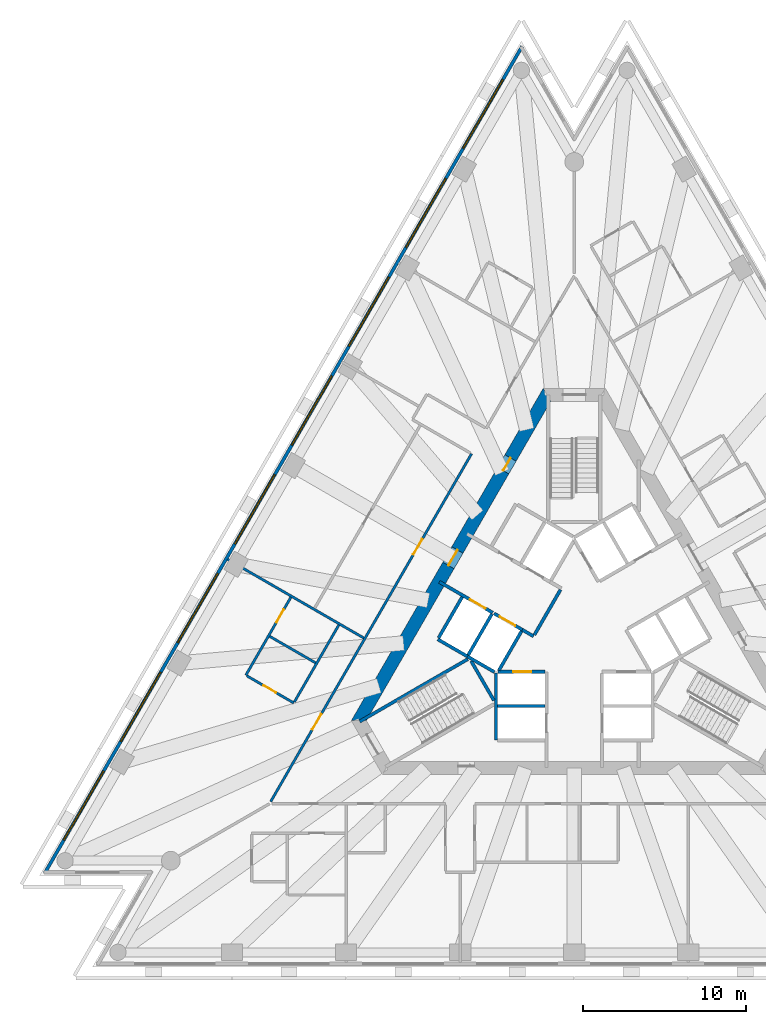
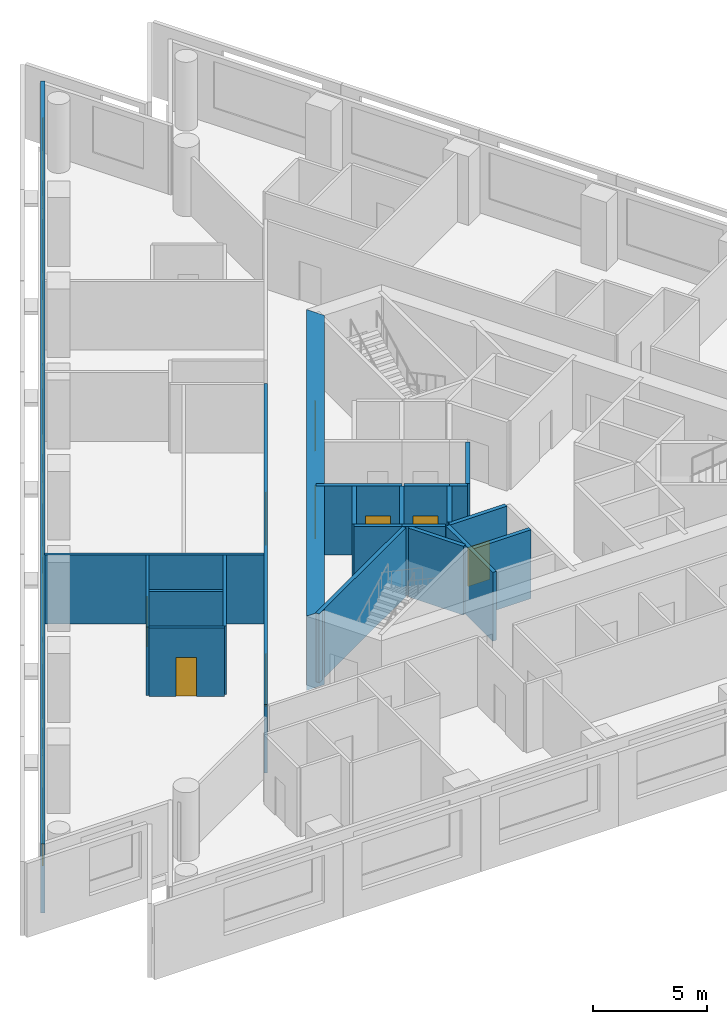
# One storey, part 4 of 10: 22 walls, 9 doors, 8 windows, 17 openings.
"""IFC4 building model written with IfcOpenShell, lengths in metres."""

from ifc_helpers import new_model, si_unit, direction, frame, frame_2d, origin, place, context, subcontext, project, spatial, polyline, rectangle, outline, extrude, material, layer, layer_set, layer_usage, type_object, element, fill, save


model = new_model("IFC4")

# Units and contexts
model_context = context("Model", 3, precision=1e-05, world=origin(), true_north=direction((0.0, 1.0)))
body_context = subcontext(model_context, "Body", "Model", "MODEL_VIEW")
ifc_project = project(units=[si_unit("LENGTHUNIT", "METRE"), si_unit("AREAUNIT", "SQUARE_METRE"), si_unit("VOLUMEUNIT", "CUBIC_METRE"), si_unit("PLANEANGLEUNIT", "RADIAN"), si_unit("MASSUNIT", "GRAM", prefix="KILO")], contexts=[model_context])

# Site, building, storey
site_placement = place(None, origin())
site = spatial("IfcSite", under=ifc_project, at=site_placement, CompositionType="ELEMENT")
building_placement = place(site_placement, origin())
building = spatial("IfcBuilding", under=site, at=building_placement, Name="Triada Interchange Tower", CompositionType="ELEMENT")
storey_placement = place(building_placement, frame((0.0, 0.0, 108.300048828125)))
storey = spatial("IfcBuildingStorey", under=building, at=storey_placement, Name="L24", CompositionType="ELEMENT", Elevation=108.300048828125)

# Walls
ifc_material_1 = material(Name="Concrete C30/37", Category="concrete")
ifc_layer_1 = layer(ifc_material_1, 0.199951171875)
ifc_layer_set_1 = layer_set([ifc_layer_1], Name="CORE WALL 200 EI 120")
wall_type_1 = type_object("IfcWallType", Name="CORE WALL 200 EI 120", PredefinedType="SOLIDWALL", material=ifc_layer_set_1)
wall_1_placement = place(storey_placement, frame((-8.3759765625, -0.70703125, 0.0), z_axis=(0.0, 0.0, 1.0), x_axis=(0.866067520717, -0.499927044236, 0.0)))
element("IfcWall", 1, at=wall_1_placement, inside=storey, type_object=wall_type_1, Name="Wall L23 64", PredefinedType="SOLIDWALL", context=body_context, shape_type="SweptSolid", body=[
    extrude(rectangle(XDim=2.100341796875, YDim=0.199951171875, at=frame_2d((1.05029296875, 0.0))), origin(), (0.0, 0.0, 1.0), 3.699951171875),
])
wall_2_placement = place(storey_placement, frame((-8.325927734375, -0.6201171875, 0.0), z_axis=(0.0, 0.0, 1.0), x_axis=(0.500023687443, 0.866011727401, 0.0)))
element("IfcWall", 2, at=wall_2_placement, inside=storey, type_object=wall_type_1, Name="Wall L23 65", PredefinedType="SOLIDWALL", context=body_context, shape_type="SweptSolid", body=[
    extrude(rectangle(XDim=2.899658203125, YDim=0.199951171875, at=frame_2d((1.44970703125, 0.0))), origin(), (0.0, 0.0, 1.0), 3.699951171875),
])
wall_3_placement = place(storey_placement, frame((-4.699951171875, -4.800048828125, 0.0), z_axis=(0.0, 0.0, 1.0), x_axis=(1.0, 0.0, 0.0)))
element("IfcWall", 3, at=wall_3_placement, inside=storey, type_object=wall_type_1, Name="Wall L23 66", PredefinedType="SOLIDWALL", context=body_context, shape_type="SweptSolid", body=[
    extrude(rectangle(XDim=2.89990234375, YDim=0.199951171875, at=frame_2d((1.449951171875, 0.0))), origin(), (0.0, 0.0, 1.0), 3.699951171875),
])
wall_4_placement = place(storey_placement, frame((-4.800048828125, -6.89990234375, 0.0), z_axis=(0.0, 0.0, 1.0), x_axis=(0.0, 1.0, 0.0)))
element("IfcWall", 4, at=wall_4_placement, inside=storey, type_object=wall_type_1, Name="Wall L23 68", PredefinedType="SOLIDWALL", context=body_context, shape_type="SweptSolid", body=[
    extrude(rectangle(XDim=4.130859375, YDim=0.199951171875, at=frame_2d((2.0654296875, 0.0))), origin(), (0.0, 0.0, 1.0), 3.699951171875),
])

# Wall, opening, door
wall_5_placement = place(storey_placement, frame((-4.676025390625, -2.699951171875, 0.0), z_axis=(0.0, 0.0, 1.0), x_axis=(1.0, 0.0, 0.0)))
wall_5 = element("IfcWall", 5, at=wall_5_placement, inside=storey, type_object=wall_type_1, Name="Wall L23 72", PredefinedType="SOLIDWALL", context=body_context, shape_type="SweptSolid", body=[
    extrude(rectangle(XDim=2.873046875, YDim=0.199951171875, at=frame_2d((1.4365234375, 0.0))), origin(), (0.0, 0.0, 1.0), 3.699951171875),
])
opening_1_placement = place(wall_5_placement, frame((0.93701171875, 0.0, 0.0)))
opening_1 = element("IfcOpeningElement", 6, at=opening_1_placement, cuts=wall_5, Name="Opening LD-LR3", PredefinedType="OPENING", context=body_context, shape_type="SweptSolid", body=[
    extrude(rectangle(XDim=1.10009765625, YDim=2.10009765625, at=frame_2d((0.550048828125, 1.050048828125))), frame((0.0, 0.10986328125, 0.0), z_axis=(0.0, -1.0, 0.0), x_axis=(1.0, 0.0, 0.0)), (0.0, 0.0, 1.0), 0.219970703125),
])
ifc_material_2 = material(Name="Steel S235 door leaf", Category="steel")
door_type_1 = type_object("IfcDoorType", Name="LIFT LANDING DOOR 1100 EI 120", OperationType="SLIDING_TO_LEFT", PredefinedType="DOOR", material=ifc_material_2)
door_1_placement = place(opening_1_placement, origin())
door_1 = element("IfcDoor", 7, at=door_1_placement, inside=storey, type_object=door_type_1, Name="LR3 landing door L24", OperationType="SLIDING_TO_LEFT", OverallHeight=2.10009765625, OverallWidth=1.10009765625, PredefinedType="DOOR", context=body_context, shape_type="SweptSolid", body=[
    extrude(rectangle(XDim=1.10009765625, YDim=2.10009765625, at=frame_2d((0.550048828125, 1.050048828125))), frame((0.0, 0.02490234375, 0.0), z_axis=(0.0, -1.0, 0.0), x_axis=(1.0, 0.0, 0.0)), (0.0, 0.0, 1.0), 0.050048828125),
])
fill(opening_1, door_1)

ifc_layer_2 = layer(ifc_material_1, 0.199951171875)
ifc_layer_set_2 = layer_set([ifc_layer_2], Name="CORE WALL 200 EI 180")
wall_type_2 = type_object("IfcWallType", Name="CORE WALL 200 EI 180", PredefinedType="SOLIDWALL", material=ifc_layer_set_2)
wall_6_placement = place(storey_placement, frame((-8.280029296875, 2.818115234375, 0.0), z_axis=(0.0, 0.0, 1.0), x_axis=(0.86600175068, -0.50004096614, 0.0)))
wall_6 = element("IfcWall", 8, at=wall_6_placement, inside=storey, type_object=wall_type_2, Name="Wall L23 86", PredefinedType="SOLIDWALL", context=body_context, shape_type="SweptSolid", body=[
    extrude(rectangle(XDim=3.781982421875, YDim=0.199951171875, at=frame_2d((1.89111328125, 0.0))), origin(), (0.0, 0.0, 1.0), 3.699951171875),
])
opening_2_placement = place(wall_6_placement, frame((2.179931640625, 0.0, 0.0)))
opening_2 = element("IfcOpeningElement", 9, at=opening_2_placement, cuts=wall_6, Name="Opening LD-SV1", PredefinedType="OPENING", context=body_context, shape_type="SweptSolid", body=[
    extrude(rectangle(XDim=1.10009765625, YDim=2.10009765625, at=frame_2d((0.550048828125, 1.050048828125))), frame((0.0, 0.10986328125, 0.0), z_axis=(0.0, -1.0, 0.0), x_axis=(1.0, 0.0, 0.0)), (0.0, 0.0, 1.0), 0.219970703125),
])
door_2_placement = place(opening_2_placement, origin())
door_2 = element("IfcDoor", 10, at=door_2_placement, inside=storey, type_object=door_type_1, Name="SV1 landing door L24", OperationType="SLIDING_TO_LEFT", OverallHeight=2.10009765625, OverallWidth=1.10009765625, PredefinedType="DOOR", context=body_context, shape_type="SweptSolid", body=[
    extrude(rectangle(XDim=1.10009765625, YDim=2.10009765625, at=frame_2d((0.550048828125, 1.050048828125))), frame((0.0, 0.02490234375, 0.0), z_axis=(0.0, -1.0, 0.0), x_axis=(1.0, 0.0, 0.0)), (0.0, 0.0, 1.0), 0.050048828125),
])
fill(opening_2, door_2)

# Walls
wall_7_placement = place(storey_placement, frame((-3.18798828125, -0.1220703125, 0.0), z_axis=(0.0, 0.0, 1.0), x_axis=(0.865705793592, -0.50055317294, 0.0)))
element("IfcWall", 11, at=wall_7_placement, inside=storey, type_object=wall_type_2, Name="Wall L23 87", PredefinedType="SOLIDWALL", context=body_context, shape_type="SweptSolid", body=[
    extrude(rectangle(XDim=0.796875, YDim=0.199951171875, at=frame_2d((0.3984375, 0.0))), origin(), (0.0, 0.0, 1.0), 3.699951171875),
])
wall_8_placement = place(storey_placement, frame((-2.444091796875, -0.43310546875, 0.0), z_axis=(0.0, 0.0, 1.0), x_axis=(0.500035624827, 0.866004834804, 0.0)))
element("IfcWall", 12, at=wall_8_placement, inside=storey, type_object=wall_type_2, Name="Wall L23 92", PredefinedType="SOLIDWALL", context=body_context, shape_type="SweptSolid", body=[
    extrude(rectangle(XDim=3.194091796875, YDim=0.199951171875, at=frame_2d((1.59716796875, 0.0))), origin(), (0.0, 0.0, 1.0), 3.699951171875),
])
wall_9_placement = place(storey_placement, frame((-6.556884765625, -1.757080078125, 0.0), z_axis=(0.0, 0.0, 1.0), x_axis=(0.8659754619, -0.500086491905, 0.0)))
element("IfcWall", 13, at=wall_9_placement, inside=storey, type_object=wall_type_2, Name="Shaft wall FF1 L23 93", PredefinedType="SOLIDWALL", context=body_context, shape_type="SweptSolid", body=[
    extrude(rectangle(XDim=1.915771484375, YDim=0.199951171875, at=frame_2d((0.9580078125, 0.0))), origin(), (0.0, 0.0, 1.0), 3.699951171875),
])
wall_10_placement = place(storey_placement, frame((-6.507080078125, -1.669921875, 0.0), z_axis=(0.0, 0.0, 1.0), x_axis=(0.50012328804, 0.865954211699, 0.0)))
element("IfcWall", 14, at=wall_10_placement, inside=storey, type_object=wall_type_2, Name="Shaft wall FF1 L23 94", PredefinedType="SOLIDWALL", context=body_context, shape_type="SweptSolid", body=[
    extrude(rectangle(XDim=2.899658203125, YDim=0.199951171875, at=frame_2d((1.44970703125, 0.0))), origin(), (0.0, 0.0, 1.0), 3.699951171875),
])

# Wall, opening, door
wall_11_placement = place(storey_placement, frame((-4.919921875, 0.8779296875, 0.0), z_axis=(0.0, 0.0, 1.0), x_axis=(0.866010750942, -0.50002537861, 0.0)))
wall_11 = element("IfcWall", 15, at=wall_11_placement, inside=storey, type_object=wall_type_2, Name="Shaft wall FF1 L23 95", PredefinedType="SOLIDWALL", context=body_context, shape_type="SweptSolid", body=[
    extrude(rectangle(XDim=2.0, YDim=0.199951171875, at=frame_2d((1.0, 0.0))), origin(), (0.0, 0.0, 1.0), 3.699951171875),
])
opening_3_placement = place(wall_11_placement, frame((0.39990234375, 0.0, 0.0)))
opening_3 = element("IfcOpeningElement", 16, at=opening_3_placement, cuts=wall_11, Name="Opening LD-FF1", PredefinedType="OPENING", context=body_context, shape_type="SweptSolid", body=[
    extrude(rectangle(XDim=1.10009765625, YDim=2.10009765625, at=frame_2d((0.550048828125, 1.050048828125))), frame((0.0, 0.10986328125, 0.0), z_axis=(0.0, -1.0, 0.0), x_axis=(1.0, 0.0, 0.0)), (0.0, 0.0, 1.0), 0.219970703125),
])
door_3_placement = place(opening_3_placement, origin())
door_3 = element("IfcDoor", 17, at=door_3_placement, inside=storey, type_object=door_type_1, Name="FF1 landing door L24", OperationType="SLIDING_TO_LEFT", OverallHeight=2.10009765625, OverallWidth=1.10009765625, PredefinedType="DOOR", context=body_context, shape_type="SweptSolid", body=[
    extrude(rectangle(XDim=1.10009765625, YDim=2.10009765625, at=frame_2d((0.550048828125, 1.050048828125))), frame((0.0, 0.02490234375, 0.0), z_axis=(0.0, -1.0, 0.0), x_axis=(1.0, 0.0, 0.0)), (0.0, 0.0, 1.0), 0.050048828125),
])
fill(opening_3, door_3)

# Walls
wall_12_placement = place(storey_placement, frame((-4.618896484375, -2.60009765625, 0.0), z_axis=(0.0, 0.0, 1.0), x_axis=(0.50009492287, 0.865970593103, 0.0)))
element("IfcWall", 18, at=wall_12_placement, inside=storey, type_object=wall_type_2, Name="Shaft wall FF1 L23 96", PredefinedType="SOLIDWALL", context=body_context, shape_type="SweptSolid", body=[
    extrude(rectangle(XDim=2.76123046875, YDim=0.199951171875, at=frame_2d((1.380615234375, 0.0))), origin(), (0.0, 0.0, 1.0), 3.699951171875),
])
ifc_layer_3 = layer(ifc_material_1, 0.199951171875)
ifc_layer_set_3 = layer_set([ifc_layer_3], Name="CORE WALL 200 REI 240")
wall_type_3 = type_object("IfcWallType", Name="CORE WALL 200 REI 240", PredefinedType="SOLIDWALL", material=ifc_layer_set_3)
wall_13_placement = place(storey_placement, frame((-13.1669921875, -5.75390625, 0.0), z_axis=(0.0, 0.0, 1.0), x_axis=(0.866060938598, 0.499938446846, 0.0)))
element("IfcWall", 19, at=wall_13_placement, inside=storey, type_object=wall_type_3, Name="Wall L23 103", PredefinedType="SOLIDWALL", context=body_context, shape_type="SweptSolid", body=[
    extrude(rectangle(XDim=7.66455078125, YDim=0.199951171875, at=frame_2d((3.832275390625, 0.0))), origin(), (0.0, 0.0, 1.0), 3.699951171875),
])
wall_14_placement = place(storey_placement, frame((-6.3291015625, -2.0380859375, 0.0), z_axis=(0.0, 0.0, 1.0), x_axis=(0.500200581029, -0.865909567298, 0.0)))
element("IfcWall", 20, at=wall_14_placement, inside=storey, type_object=wall_type_3, Name="Wall L23 104", PredefinedType="SOLIDWALL", context=body_context, shape_type="SweptSolid", body=[
    extrude(rectangle(XDim=2.799072265625, YDim=0.199951171875, at=frame_2d((1.3994140625, 0.0))), origin(), (0.0, 0.0, 1.0), 3.699951171875),
])

# Wall, openings, doors
ifc_material_3 = material(Name="Concrete C60/75", Category="concrete")
ifc_layer_4 = layer(ifc_material_3, 0.800048828125)
ifc_layer_set_4 = layer_set([ifc_layer_4], Name="Core wall B 800")
wall_type_4 = type_object("IfcWallType", Name="Core wall B 800", PredefinedType="SHEAR", material=ifc_layer_set_4)
wall_15_placement = place(storey_placement, frame((-1.674072265625, 14.300048828125, -0.300048828125), z_axis=(0.0, 0.0, 1.0), x_axis=(-0.499995765644, -0.866027848477, 0.0)))
wall_15 = element("IfcWall", 21, at=wall_15_placement, inside=storey, type_object=wall_type_4, Name="Core wall WB02 L24", PredefinedType="SHEAR", context=body_context, shape_type="SweptSolid", body=[
    extrude(outline(polyline([(-0.23095703125, -0.39990234375), (1.73193359375, -0.39990234375), (3.695068359375, -0.39990234375), (5.657958984375, -0.39990234375), (7.62109375, -0.39990234375), (9.583984375, -0.39990234375), (11.546875, -0.39990234375), (13.510009765625, -0.39990234375), (15.472900390625, -0.39990234375), (17.43603515625, -0.39990234375), (19.39892578125, -0.39990234375), (21.362060546875, -0.39990234375), (23.324951171875, -0.39990234375), (22.863037109375, 0.39990234375), (20.97705078125, 0.39990234375), (19.091064453125, 0.39990234375), (17.205078125, 0.39990234375), (15.319091796875, 0.39990234375), (13.43310546875, 0.39990234375), (11.546875, 0.39990234375), (9.660888671875, 0.39990234375), (7.77490234375, 0.39990234375), (5.888916015625, 0.39990234375), (4.0029296875, 0.39990234375), (2.116943359375, 0.39990234375), (0.23095703125, 0.39990234375), (-0.23095703125, -0.39990234375)])), origin(), (0.0, 0.0, 1.0), 4.0),
])
opening_4_placement = place(wall_15_placement, frame((10.9970703125, 0.0, 0.300048828125)))
opening_4 = element("IfcOpeningElement", 22, at=opening_4_placement, cuts=wall_15, Name="Opening D23-46", PredefinedType="OPENING", context=body_context, shape_type="SweptSolid", body=[
    extrude(rectangle(XDim=1.10009765625, YDim=2.10009765625, at=frame_2d((0.550048828125, 1.050048828125))), frame((0.0, 0.409912109375, 0.0), z_axis=(0.0, -1.0, 0.0), x_axis=(1.0, 0.0, 0.0)), (0.0, 0.0, 1.0), 0.820068359375),
])
opening_5_placement = place(wall_15_placement, frame((4.47412109375, 0.0, 0.300048828125)))
opening_5 = element("IfcOpeningElement", 23, at=opening_5_placement, cuts=wall_15, Name="Opening D23-48", PredefinedType="OPENING", context=body_context, shape_type="SweptSolid", body=[
    extrude(rectangle(XDim=0.89990234375, YDim=2.10009765625, at=frame_2d((0.449951171875, 1.050048828125))), frame((0.0, 0.409912109375, 0.0), z_axis=(0.0, -1.0, 0.0), x_axis=(1.0, 0.0, 0.0)), (0.0, 0.0, 1.0), 0.820068359375),
])
door_type_2 = type_object("IfcDoorType", Name="FIRE LOBBY DOOR 1100 EI2 90-C5S200", OperationType="NOTDEFINED", PredefinedType="DOOR", material=ifc_material_2)
door_4_placement = place(opening_4_placement, origin())
door_4 = element("IfcDoor", 24, at=door_4_placement, inside=storey, type_object=door_type_2, Name="Door D23-46 L24", OperationType="SINGLE_SWING_LEFT", OverallHeight=2.10009765625, OverallWidth=1.10009765625, PredefinedType="DOOR", context=body_context, shape_type="SweptSolid", body=[
    extrude(rectangle(XDim=1.10009765625, YDim=2.10009765625, at=frame_2d((0.550048828125, 1.050048828125))), frame((0.0, 0.02490234375, 0.0), z_axis=(0.0, -1.0, 0.0), x_axis=(1.0, 0.0, 0.0)), (0.0, 0.0, 1.0), 0.050048828125),
])
fill(opening_4, door_4)
door_type_3 = type_object("IfcDoorType", Name="SERVICE DOOR 900 EI2 45-C5S200", OperationType="NOTDEFINED", PredefinedType="DOOR", material=ifc_material_2)
door_5_placement = place(opening_5_placement, origin())
door_5 = element("IfcDoor", 25, at=door_5_placement, inside=storey, type_object=door_type_3, Name="Door D23-48 L24", OperationType="SINGLE_SWING_RIGHT", OverallHeight=2.10009765625, OverallWidth=0.89990234375, PredefinedType="DOOR", context=body_context, shape_type="SweptSolid", body=[
    extrude(rectangle(XDim=0.89990234375, YDim=2.10009765625, at=frame_2d((0.449951171875, 1.050048828125))), frame((0.0, 0.02490234375, 0.0), z_axis=(0.0, -1.0, 0.0), x_axis=(1.0, 0.0, 0.0)), (0.0, 0.0, 1.0), 0.050048828125),
])
fill(opening_5, door_5)

# Wall, openings, windows
ifc_material_4 = material(Name="Cement board")
ifc_layer_5 = layer(ifc_material_4, 0.02001953125, Name="Cement board cladding")
ifc_material_5 = material(Name="Sheathing board")
ifc_layer_6 = layer(ifc_material_5, 0.014892578125, Name="Sheathing board")
ifc_material_6 = material(Name="Mineral wool")
ifc_layer_7 = layer(ifc_material_6, 0.14990234375, Name="Mineral wool between steel studs")
ifc_material_7 = material(Name="Gypsum board")
ifc_layer_8 = layer(ifc_material_7, 0.014892578125, Name="Plasterboard lining")
ifc_layer_set_5 = layer_set([ifc_layer_5, ifc_layer_6, ifc_layer_7, ifc_layer_8], Name="External wall 200")
ifc_layer_usage = layer_usage(ifc_layer_set_5, "AXIS2", "POSITIVE", -0.10009765625)
wall_type_5 = type_object("IfcWallType", Name="External wall 200", PredefinedType="ELEMENTEDWALL", material=ifc_layer_set_5)
wall_16_placement = place(storey_placement, frame((-3.199951171875, 35.69091796875, 0.0), z_axis=(0.0, 0.0, 1.0), x_axis=(-0.500010127185, -0.866019556773, 0.0)))
wall_16 = element("IfcWall", 26, at=wall_16_placement, inside=storey, type_object=wall_type_5, material=ifc_layer_usage, Name="External wall L24 NW", PredefinedType="ELEMENTEDWALL", context=body_context, shape_type="SweptSolid", body=[
    extrude(rectangle(XDim=58.598876953125, YDim=0.199951171875, at=frame_2d((29.29931640625, 0.0))), origin(), (0.0, 0.0, 1.0), 3.699951171875),
])
opening_6_placement = place(wall_16_placement, frame((2.35302734375, 0.0, 0.89990234375)))
opening_6 = element("IfcOpeningElement", 27, at=opening_6_placement, cuts=wall_16, Name="Opening WB01", PredefinedType="OPENING", context=body_context, shape_type="SweptSolid", body=[
    extrude(rectangle(XDim=4.89990234375, YDim=2.5, at=frame_2d((2.449951171875, 1.25))), frame((0.0, 0.10986328125, 0.0), z_axis=(0.0, -1.0, 0.0), x_axis=(1.0, 0.0, 0.0)), (0.0, 0.0, 1.0), 0.219970703125),
])
opening_7_placement = place(wall_16_placement, frame((9.35498046875, 0.0, 0.89990234375)))
opening_7 = element("IfcOpeningElement", 28, at=opening_7_placement, cuts=wall_16, Name="Opening WB02", PredefinedType="OPENING", context=body_context, shape_type="SweptSolid", body=[
    extrude(rectangle(XDim=4.89990234375, YDim=2.5, at=frame_2d((2.449951171875, 1.25))), frame((0.0, 0.10986328125, 0.0), z_axis=(0.0, -1.0, 0.0), x_axis=(1.0, 0.0, 0.0)), (0.0, 0.0, 1.0), 0.219970703125),
])
opening_8_placement = place(wall_16_placement, frame((16.35693359375, 0.0, 0.89990234375)))
opening_8 = element("IfcOpeningElement", 29, at=opening_8_placement, cuts=wall_16, Name="Opening WB03", PredefinedType="OPENING", context=body_context, shape_type="SweptSolid", body=[
    extrude(rectangle(XDim=4.89990234375, YDim=2.5, at=frame_2d((2.449951171875, 1.25))), frame((0.0, 0.10986328125, 0.0), z_axis=(0.0, -1.0, 0.0), x_axis=(1.0, 0.0, 0.0)), (0.0, 0.0, 1.0), 0.219970703125),
])
opening_9_placement = place(wall_16_placement, frame((23.35791015625, 0.0, 0.89990234375)))
opening_9 = element("IfcOpeningElement", 30, at=opening_9_placement, cuts=wall_16, Name="Opening WB04", PredefinedType="OPENING", context=body_context, shape_type="SweptSolid", body=[
    extrude(rectangle(XDim=4.89990234375, YDim=2.5, at=frame_2d((2.449951171875, 1.25))), frame((0.0, 0.10986328125, 0.0), z_axis=(0.0, -1.0, 0.0), x_axis=(1.0, 0.0, 0.0)), (0.0, 0.0, 1.0), 0.219970703125),
])
opening_10_placement = place(wall_16_placement, frame((30.360107421875, 0.0, 0.89990234375)))
opening_10 = element("IfcOpeningElement", 31, at=opening_10_placement, cuts=wall_16, Name="Opening WB05", PredefinedType="OPENING", context=body_context, shape_type="SweptSolid", body=[
    extrude(rectangle(XDim=4.89990234375, YDim=2.5, at=frame_2d((2.449951171875, 1.25))), frame((0.0, 0.10986328125, 0.0), z_axis=(0.0, -1.0, 0.0), x_axis=(1.0, 0.0, 0.0)), (0.0, 0.0, 1.0), 0.219970703125),
])
opening_11_placement = place(wall_16_placement, frame((37.362060546875, 0.0, 0.89990234375)))
opening_11 = element("IfcOpeningElement", 32, at=opening_11_placement, cuts=wall_16, Name="Opening WB06", PredefinedType="OPENING", context=body_context, shape_type="SweptSolid", body=[
    extrude(rectangle(XDim=4.89990234375, YDim=2.5, at=frame_2d((2.449951171875, 1.25))), frame((0.0, 0.10986328125, 0.0), z_axis=(0.0, -1.0, 0.0), x_axis=(1.0, 0.0, 0.0)), (0.0, 0.0, 1.0), 0.219970703125),
])
opening_12_placement = place(wall_16_placement, frame((44.363037109375, 0.0, 0.89990234375)))
opening_12 = element("IfcOpeningElement", 33, at=opening_12_placement, cuts=wall_16, Name="Opening WB07", PredefinedType="OPENING", context=body_context, shape_type="SweptSolid", body=[
    extrude(rectangle(XDim=4.89990234375, YDim=2.5, at=frame_2d((2.449951171875, 1.25))), frame((0.0, 0.10986328125, 0.0), z_axis=(0.0, -1.0, 0.0), x_axis=(1.0, 0.0, 0.0)), (0.0, 0.0, 1.0), 0.219970703125),
])
opening_13_placement = place(wall_16_placement, frame((51.364990234375, 0.0, 0.89990234375)))
opening_13 = element("IfcOpeningElement", 34, at=opening_13_placement, cuts=wall_16, Name="Opening WB08", PredefinedType="OPENING", context=body_context, shape_type="SweptSolid", body=[
    extrude(rectangle(XDim=4.89990234375, YDim=2.5, at=frame_2d((2.449951171875, 1.25))), frame((0.0, 0.10986328125, 0.0), z_axis=(0.0, -1.0, 0.0), x_axis=(1.0, 0.0, 0.0)), (0.0, 0.0, 1.0), 0.219970703125),
])
ifc_material_8 = material(Name="Double glazed aluminium window", Category="aluminium")
window_type = type_object("IfcWindowType", Name="Ribbon window B face", PartitioningType="SINGLE_PANEL", PredefinedType="WINDOW", material=ifc_material_8)
window_1_placement = place(opening_6_placement, origin())
window_1 = element("IfcWindow", 35, at=window_1_placement, inside=storey, type_object=window_type, Name="Window L24 NW 1", OverallHeight=2.5, OverallWidth=4.89990234375, PartitioningType="SINGLE_PANEL", PredefinedType="WINDOW", context=body_context, shape_type="SweptSolid", body=[
    extrude(rectangle(XDim=4.89990234375, YDim=2.5, at=frame_2d((2.449951171875, 1.25))), frame((0.0, 0.030029296875, 0.0), z_axis=(0.0, -1.0, 0.0), x_axis=(1.0, 0.0, 0.0)), (0.0, 0.0, 1.0), 0.06005859375),
])
fill(opening_6, window_1)
window_2_placement = place(opening_7_placement, origin())
window_2 = element("IfcWindow", 36, at=window_2_placement, inside=storey, type_object=window_type, Name="Window L24 NW 2", OverallHeight=2.5, OverallWidth=4.89990234375, PartitioningType="SINGLE_PANEL", PredefinedType="WINDOW", context=body_context, shape_type="SweptSolid", body=[
    extrude(rectangle(XDim=4.89990234375, YDim=2.5, at=frame_2d((2.449951171875, 1.25))), frame((0.0, 0.030029296875, 0.0), z_axis=(0.0, -1.0, 0.0), x_axis=(1.0, 0.0, 0.0)), (0.0, 0.0, 1.0), 0.06005859375),
])
fill(opening_7, window_2)
window_3_placement = place(opening_8_placement, origin())
window_3 = element("IfcWindow", 37, at=window_3_placement, inside=storey, type_object=window_type, Name="Window L24 NW 3", OverallHeight=2.5, OverallWidth=4.89990234375, PartitioningType="SINGLE_PANEL", PredefinedType="WINDOW", context=body_context, shape_type="SweptSolid", body=[
    extrude(rectangle(XDim=4.89990234375, YDim=2.5, at=frame_2d((2.449951171875, 1.25))), frame((0.0, 0.030029296875, 0.0), z_axis=(0.0, -1.0, 0.0), x_axis=(1.0, 0.0, 0.0)), (0.0, 0.0, 1.0), 0.06005859375),
])
fill(opening_8, window_3)
window_4_placement = place(opening_9_placement, origin())
window_4 = element("IfcWindow", 38, at=window_4_placement, inside=storey, type_object=window_type, Name="Window L24 NW 4", OverallHeight=2.5, OverallWidth=4.89990234375, PartitioningType="SINGLE_PANEL", PredefinedType="WINDOW", context=body_context, shape_type="SweptSolid", body=[
    extrude(rectangle(XDim=4.89990234375, YDim=2.5, at=frame_2d((2.449951171875, 1.25))), frame((0.0, 0.030029296875, 0.0), z_axis=(0.0, -1.0, 0.0), x_axis=(1.0, 0.0, 0.0)), (0.0, 0.0, 1.0), 0.06005859375),
])
fill(opening_9, window_4)
window_5_placement = place(opening_10_placement, origin())
window_5 = element("IfcWindow", 39, at=window_5_placement, inside=storey, type_object=window_type, Name="Window L24 NW 5", OverallHeight=2.5, OverallWidth=4.89990234375, PartitioningType="SINGLE_PANEL", PredefinedType="WINDOW", context=body_context, shape_type="SweptSolid", body=[
    extrude(rectangle(XDim=4.89990234375, YDim=2.5, at=frame_2d((2.449951171875, 1.25))), frame((0.0, 0.030029296875, 0.0), z_axis=(0.0, -1.0, 0.0), x_axis=(1.0, 0.0, 0.0)), (0.0, 0.0, 1.0), 0.06005859375),
])
fill(opening_10, window_5)
window_6_placement = place(opening_11_placement, origin())
window_6 = element("IfcWindow", 40, at=window_6_placement, inside=storey, type_object=window_type, Name="Window L24 NW 6", OverallHeight=2.5, OverallWidth=4.89990234375, PartitioningType="SINGLE_PANEL", PredefinedType="WINDOW", context=body_context, shape_type="SweptSolid", body=[
    extrude(rectangle(XDim=4.89990234375, YDim=2.5, at=frame_2d((2.449951171875, 1.25))), frame((0.0, 0.030029296875, 0.0), z_axis=(0.0, -1.0, 0.0), x_axis=(1.0, 0.0, 0.0)), (0.0, 0.0, 1.0), 0.06005859375),
])
fill(opening_11, window_6)
window_7_placement = place(opening_12_placement, origin())
window_7 = element("IfcWindow", 41, at=window_7_placement, inside=storey, type_object=window_type, Name="Window L24 NW 7", OverallHeight=2.5, OverallWidth=4.89990234375, PartitioningType="SINGLE_PANEL", PredefinedType="WINDOW", context=body_context, shape_type="SweptSolid", body=[
    extrude(rectangle(XDim=4.89990234375, YDim=2.5, at=frame_2d((2.449951171875, 1.25))), frame((0.0, 0.030029296875, 0.0), z_axis=(0.0, -1.0, 0.0), x_axis=(1.0, 0.0, 0.0)), (0.0, 0.0, 1.0), 0.06005859375),
])
fill(opening_12, window_7)
window_8_placement = place(opening_13_placement, origin())
window_8 = element("IfcWindow", 42, at=window_8_placement, inside=storey, type_object=window_type, Name="Window L24 NW 8", OverallHeight=2.5, OverallWidth=4.89990234375, PartitioningType="SINGLE_PANEL", PredefinedType="WINDOW", context=body_context, shape_type="SweptSolid", body=[
    extrude(rectangle(XDim=4.89990234375, YDim=2.5, at=frame_2d((2.449951171875, 1.25))), frame((0.0, 0.030029296875, 0.0), z_axis=(0.0, -1.0, 0.0), x_axis=(1.0, 0.0, 0.0)), (0.0, 0.0, 1.0), 0.06005859375),
])
fill(opening_13, window_8)

# Wall
ifc_material_9 = material(Name="Gypsum board partition")
ifc_layer_9 = layer(ifc_material_9, 0.14990234375)
ifc_layer_set_6 = layer_set([ifc_layer_9], Name="PARTITION 150 EI 180")
wall_type_6 = type_object("IfcWallType", Name="PARTITION 150 EI 180", PredefinedType="PARTITIONING", material=ifc_layer_set_6)
wall_17_placement = place(storey_placement, frame((-21.285888671875, 4.205078125, 0.0), z_axis=(0.0, 0.0, 1.0), x_axis=(0.866007579589, -0.500030871142, 0.0)))
element("IfcWall", 43, at=wall_17_placement, inside=storey, type_object=wall_type_6, Name="Wall L23 3", PredefinedType="PARTITIONING", context=body_context, shape_type="SweptSolid", body=[
    extrude(rectangle(XDim=9.66162109375, YDim=0.14990234375, at=frame_2d((4.830810546875, 0.0))), origin(), (0.0, 0.0, 1.0), 3.699951171875),
])

# Wall, openings, doors
wall_18_placement = place(storey_placement, frame((-18.631103515625, -10.6689453125, 0.0), z_axis=(0.0, 0.0, 1.0), x_axis=(0.500015596868, 0.866016398741, 0.0)))
wall_18 = element("IfcWall", 44, at=wall_18_placement, inside=storey, type_object=wall_type_6, Name="Wall L23 6", PredefinedType="PARTITIONING", context=body_context, shape_type="SweptSolid", body=[
    extrude(rectangle(XDim=24.655517578125, YDim=0.14990234375, at=frame_2d((12.32763671875, 0.0))), origin(), (0.0, 0.0, 1.0), 3.699951171875),
])
opening_14_placement = place(wall_18_placement, frame((17.507080078125, 0.0, 0.0)))
opening_14 = element("IfcOpeningElement", 45, at=opening_14_placement, cuts=wall_18, Name="Opening D23-37", PredefinedType="OPENING", context=body_context, shape_type="SweptSolid", body=[
    extrude(rectangle(XDim=1.10009765625, YDim=2.10009765625, at=frame_2d((0.550048828125, 1.050048828125))), frame((0.0, 0.0849609375, 0.0), z_axis=(0.0, -1.0, 0.0), x_axis=(1.0, 0.0, 0.0)), (0.0, 0.0, 1.0), 0.169921875),
])
opening_15_placement = place(wall_18_placement, frame((5.10400390625, 0.0, 0.0)))
opening_15 = element("IfcOpeningElement", 46, at=opening_15_placement, cuts=wall_18, Name="Opening D23-39", PredefinedType="OPENING", context=body_context, shape_type="SweptSolid", body=[
    extrude(rectangle(XDim=1.10009765625, YDim=2.10009765625, at=frame_2d((0.550048828125, 1.050048828125))), frame((0.0, 0.0849609375, 0.0), z_axis=(0.0, -1.0, 0.0), x_axis=(1.0, 0.0, 0.0)), (0.0, 0.0, 1.0), 0.169921875),
])
door_type_4 = type_object("IfcDoorType", Name="TENANCY ENTRANCE DOOR 1100 EI2 90-C5S200", OperationType="NOTDEFINED", PredefinedType="DOOR", material=ifc_material_2)
door_6_placement = place(opening_14_placement, origin())
door_6 = element("IfcDoor", 47, at=door_6_placement, inside=storey, type_object=door_type_4, Name="Door D23-37 L24", OperationType="SINGLE_SWING_RIGHT", OverallHeight=2.10009765625, OverallWidth=1.10009765625, PredefinedType="DOOR", context=body_context, shape_type="SweptSolid", body=[
    extrude(rectangle(XDim=1.10009765625, YDim=2.10009765625, at=frame_2d((0.550048828125, 1.050048828125))), frame((0.0, 0.02490234375, 0.0), z_axis=(0.0, -1.0, 0.0), x_axis=(1.0, 0.0, 0.0)), (0.0, 0.0, 1.0), 0.050048828125),
])
fill(opening_14, door_6)
door_7_placement = place(opening_15_placement, origin())
door_7 = element("IfcDoor", 48, at=door_7_placement, inside=storey, type_object=door_type_4, Name="Door D23-39 L24", OperationType="SINGLE_SWING_LEFT", OverallHeight=2.10009765625, OverallWidth=1.10009765625, PredefinedType="DOOR", context=body_context, shape_type="SweptSolid", body=[
    extrude(rectangle(XDim=1.10009765625, YDim=2.10009765625, at=frame_2d((0.550048828125, 1.050048828125))), frame((0.0, 0.02490234375, 0.0), z_axis=(0.0, -1.0, 0.0), x_axis=(1.0, 0.0, 0.0)), (0.0, 0.0, 1.0), 0.050048828125),
])
fill(opening_15, door_7)

# Wall, opening, door
ifc_layer_10 = layer(ifc_material_9, 0.14990234375)
ifc_layer_set_7 = layer_set([ifc_layer_10], Name="PARTITION 150 EI 90")
wall_type_7 = type_object("IfcWallType", Name="PARTITION 150 EI 90", PredefinedType="PARTITIONING", material=ifc_layer_set_7)
wall_19_placement = place(storey_placement, frame((-20.156982421875, -2.9130859375, 0.0), z_axis=(0.0, 0.0, 1.0), x_axis=(0.499898410332, 0.866084048662, 0.0)))
wall_19 = element("IfcWall", 49, at=wall_19_placement, inside=storey, type_object=wall_type_7, Name="Wall L23 42", PredefinedType="PARTITIONING", context=body_context, shape_type="SweptSolid", body=[
    extrude(rectangle(XDim=5.525146484375, YDim=0.14990234375, at=frame_2d((2.7626953125, 0.0))), origin(), (0.0, 0.0, 1.0), 3.699951171875),
])
opening_16_placement = place(wall_19_placement, frame((3.75, 0.0, 0.0)))
opening_16 = element("IfcOpeningElement", 50, at=opening_16_placement, cuts=wall_19, Name="Opening D23-40", PredefinedType="OPENING", context=body_context, shape_type="SweptSolid", body=[
    extrude(rectangle(XDim=0.89990234375, YDim=2.10009765625, at=frame_2d((0.449951171875, 1.050048828125))), frame((0.0, 0.0849609375, 0.0), z_axis=(0.0, -1.0, 0.0), x_axis=(1.0, 0.0, 0.0)), (0.0, 0.0, 1.0), 0.169921875),
])
door_type_5 = type_object("IfcDoorType", Name="ROOM DOOR 900 EI2 45-C5S200", OperationType="NOTDEFINED", PredefinedType="DOOR", material=ifc_material_2)
door_8_placement = place(opening_16_placement, origin())
door_8 = element("IfcDoor", 51, at=door_8_placement, inside=storey, type_object=door_type_5, Name="Door D23-40 L24", OperationType="SINGLE_SWING_LEFT", OverallHeight=2.10009765625, OverallWidth=0.89990234375, PredefinedType="DOOR", context=body_context, shape_type="SweptSolid", body=[
    extrude(rectangle(XDim=0.89990234375, YDim=2.10009765625, at=frame_2d((0.449951171875, 1.050048828125))), frame((0.0, 0.02490234375, 0.0), z_axis=(0.0, -1.0, 0.0), x_axis=(1.0, 0.0, 0.0)), (0.0, 0.0, 1.0), 0.050048828125),
])
fill(opening_16, door_8)

wall_20_placement = place(storey_placement, frame((-20.092041015625, -2.950927734375, 0.0), z_axis=(0.0, 0.0, 1.0), x_axis=(0.866047399325, -0.49996190067, 0.0)))
wall_20 = element("IfcWall", 52, at=wall_20_placement, inside=storey, type_object=wall_type_7, Name="Wall L23 43", PredefinedType="PARTITIONING", context=body_context, shape_type="SweptSolid", body=[
    extrude(rectangle(XDim=3.324462890625, YDim=0.14990234375, at=frame_2d((1.662109375, 0.0))), origin(), (0.0, 0.0, 1.0), 3.699951171875),
])
opening_17_placement = place(wall_20_placement, frame((1.175048828125, 0.0, 0.0)))
opening_17 = element("IfcOpeningElement", 53, at=opening_17_placement, cuts=wall_20, Name="Opening D23-41", PredefinedType="OPENING", context=body_context, shape_type="SweptSolid", body=[
    extrude(rectangle(XDim=0.89990234375, YDim=2.10009765625, at=frame_2d((0.449951171875, 1.050048828125))), frame((0.0, 0.0849609375, 0.0), z_axis=(0.0, -1.0, 0.0), x_axis=(1.0, 0.0, 0.0)), (0.0, 0.0, 1.0), 0.169921875),
])
door_9_placement = place(opening_17_placement, origin())
door_9 = element("IfcDoor", 54, at=door_9_placement, inside=storey, type_object=door_type_5, Name="Door D23-41 L24", OperationType="SINGLE_SWING_RIGHT", OverallHeight=2.10009765625, OverallWidth=0.89990234375, PredefinedType="DOOR", context=body_context, shape_type="SweptSolid", body=[
    extrude(rectangle(XDim=0.89990234375, YDim=2.10009765625, at=frame_2d((0.449951171875, 1.050048828125))), frame((0.0, 0.02490234375, 0.0), z_axis=(0.0, -1.0, 0.0), x_axis=(1.0, 0.0, 0.0)), (0.0, 0.0, 1.0), 0.050048828125),
])
fill(opening_17, door_9)

# Walls
wall_21_placement = place(storey_placement, frame((-17.175048828125, -4.548095703125, 0.0), z_axis=(0.0, 0.0, 1.0), x_axis=(0.499983534837, 0.866034909742, 0.0)))
element("IfcWall", 55, at=wall_21_placement, inside=storey, type_object=wall_type_7, Name="Wall L23 44", PredefinedType="PARTITIONING", context=body_context, shape_type="SweptSolid", body=[
    extrude(rectangle(XDim=5.450439453125, YDim=0.14990234375, at=frame_2d((2.72509765625, 0.0))), origin(), (0.0, 0.0, 1.0), 3.699951171875),
])
wall_22_placement = place(storey_placement, frame((-18.69189453125, -0.52587890625, 0.0), z_axis=(0.0, 0.0, 1.0), x_axis=(0.865977875238, -0.500082312822, 0.0)))
element("IfcWall", 56, at=wall_22_placement, inside=storey, type_object=wall_type_7, Name="Wall L23 46", PredefinedType="PARTITIONING", context=body_context, shape_type="SweptSolid", body=[
    extrude(rectangle(XDim=3.24951171875, YDim=0.14990234375, at=frame_2d((1.624755859375, 0.0))), origin(), (0.0, 0.0, 1.0), 3.699951171875),
])

save(model, "model.ifc")
